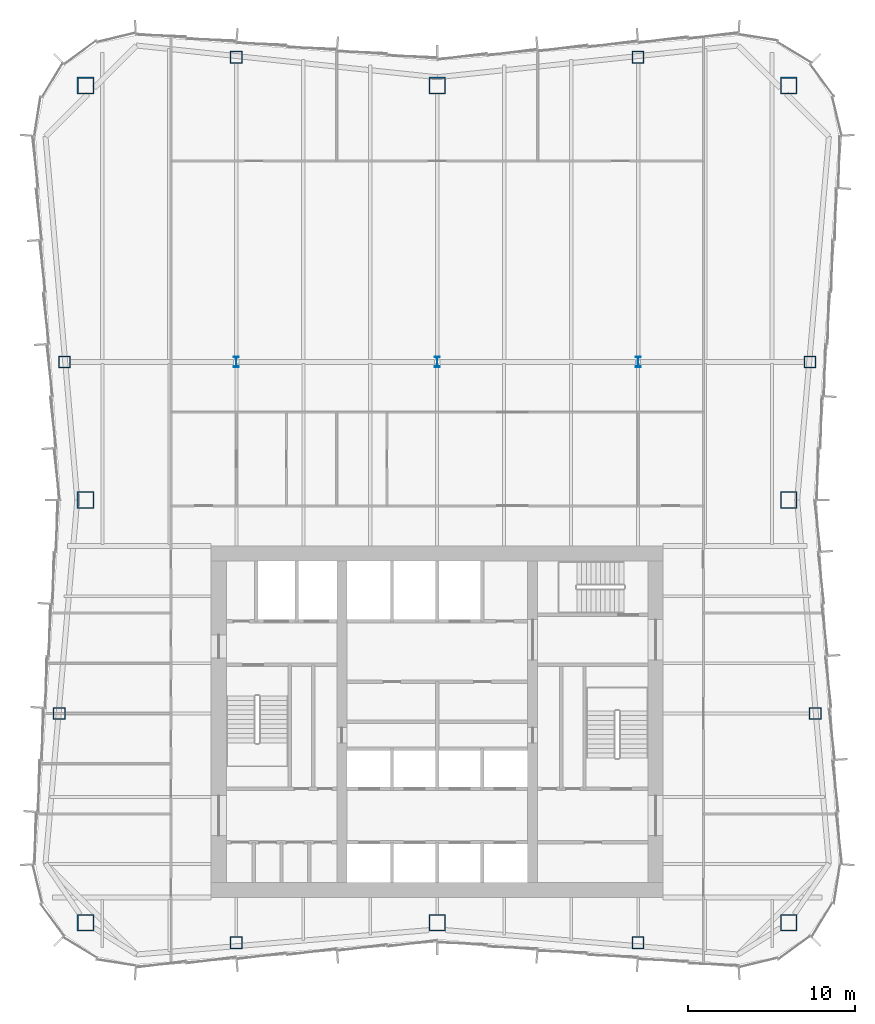
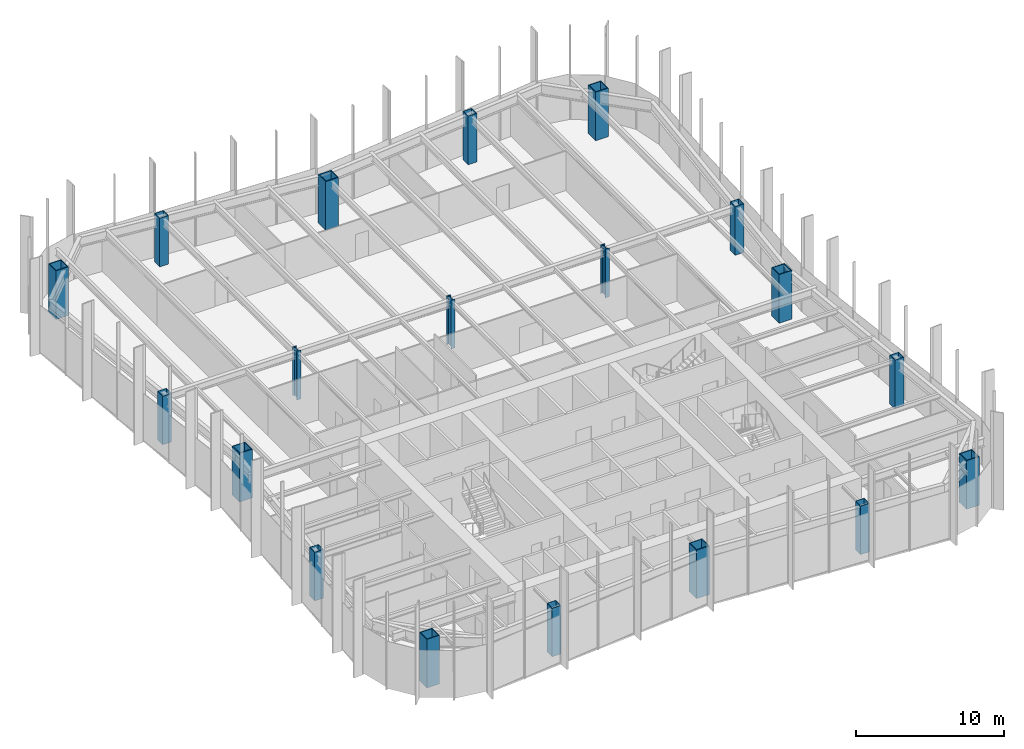
# One storey, part 1 of 13: 19 columns.
"""IFC4 building model written with IfcOpenShell, lengths in metres."""

from ifc_helpers import new_model, si_unit, direction, frame, origin, origin_2d, place, context, subcontext, project, spatial, hollow_rectangle, i_section, extrude, material, material_profile, profile_set, type_object, element, save


model = new_model("IFC4")

# Units and contexts
model_context = context("Model", 3, precision=1e-05, world=origin(), true_north=direction((0.0, 1.0)))
body_context = subcontext(model_context, "Body", "Model", "MODEL_VIEW")
ifc_project = project(units=[si_unit("LENGTHUNIT", "METRE"), si_unit("AREAUNIT", "SQUARE_METRE"), si_unit("VOLUMEUNIT", "CUBIC_METRE"), si_unit("PLANEANGLEUNIT", "RADIAN"), si_unit("MASSUNIT", "GRAM", prefix="KILO")], contexts=[model_context])

# Site, building, storey
site_placement = place(None, origin())
site = spatial("IfcSite", under=ifc_project, at=site_placement, CompositionType="ELEMENT")
building_placement = place(site_placement, origin())
building = spatial("IfcBuilding", under=site, at=building_placement, Name="Verdant Reach Tower", CompositionType="ELEMENT")
storey_placement = place(building_placement, frame((0.0, 0.0, 218.0)))
storey = spatial("IfcBuildingStorey", under=building, at=storey_placement, Name="L50", CompositionType="ELEMENT", Elevation=218.0)

# Columns
ifc_material = material(Name="Steel S460", Category="steel")
ifc_material_profile_1 = material_profile(ifc_material, i_section(OverallWidth=0.304931640625, OverallDepth=0.6201171875, WebThickness=0.02099609375, FlangeThickness=0.0400390625, FilletRadius=0.027099609375, at=origin_2d()), Name="HEM 600")
ifc_profile_set_1 = profile_set([ifc_material_profile_1], Name="Steel S460")
column_type_1 = type_object("IfcColumnType", Name="ST-COL-HEM600", PredefinedType="COLUMN", material=ifc_profile_set_1)
for number, where, z_axis, x_axis, name in (
    (1, (-12.0, 49.5, 0.0), (0.0, 0.0, 1.0), (1.0, 0.0, 0.0), "Interior column 1, L50"),
    (2, (0.0, 49.5, 0.0), (0.0, 0.0, 1.0), (1.0, 0.0, 0.0), "Interior column 2, L50"),
    (3, (12.0, 49.5, 0.0), (0.0, 0.0, 1.0), (1.0, 0.0, 0.0), "Interior column 3, L50"),
):
    element("IfcColumn", number, at=place(storey_placement, frame(where, z_axis=z_axis, x_axis=x_axis)), inside=storey, type_object=column_type_1, Name=name, PredefinedType="COLUMN", context=body_context, shape_type="SweptSolid", body=[
        extrude(i_section(OverallWidth=0.304931640625, OverallDepth=0.6201171875, WebThickness=0.02099609375, FlangeThickness=0.0400390625, FilletRadius=0.027099609375, at=origin_2d()), origin(), (0.0, 0.0, 1.0), 4.0),
    ])
ifc_material_profile_2 = material_profile(ifc_material, hollow_rectangle(XDim=1.0, YDim=1.0, WallThickness=0.06005859375, at=origin_2d()), Name="WB 1000x1000x60")
ifc_profile_set_2 = profile_set([ifc_material_profile_2], Name="Steel S460")
column_type_2 = type_object("IfcColumnType", Name="ST-COL-WB1000x1000x60", PredefinedType="COLUMN", material=ifc_profile_set_2)
for number, where, z_axis, x_axis, name in (
    (4, (-21.0, 66.0, 0.0), (0.0, 0.0, 1.0), (1.0, 0.0, 0.0), "Mega column north-west, L50"),
    (5, (0.0, 66.0, 0.0), (0.0, 0.0, 1.0), (1.0, 0.0, 0.0), "Mega column north, L50"),
    (6, (21.0, 66.0, 0.0), (0.0, 0.0, 1.0), (1.0, 0.0, 0.0), "Mega column north-east, L50"),
    (7, (21.0, 41.25, 0.0), (0.0, 0.0, 1.0), (1.0, 0.0, 0.0), "Mega column east, L50"),
    (8, (21.0, 16.0, 0.0), (0.0, 0.0, 1.0), (1.0, 0.0, 0.0), "Mega column south-east, L50"),
    (9, (0.0, 16.0, 0.0), (0.0, 0.0, 1.0), (1.0, 0.0, 0.0), "Mega column south, L50"),
    (10, (-21.0, 16.0, 0.0), (0.0, 0.0, 1.0), (1.0, 0.0, 0.0), "Mega column south-west, L50"),
    (11, (-21.0, 41.25, 0.0), (0.0, 0.0, 1.0), (1.0, 0.0, 0.0), "Mega column west, L50"),
):
    element("IfcColumn", number, at=place(storey_placement, frame(where, z_axis=z_axis, x_axis=x_axis)), inside=storey, type_object=column_type_2, Name=name, PredefinedType="COLUMN", context=body_context, shape_type="SweptSolid", body=[
        extrude(hollow_rectangle(XDim=1.0, YDim=1.0, WallThickness=0.06005859375, at=origin_2d()), origin(), (0.0, 0.0, 1.0), 4.0),
    ])
ifc_material_profile_3 = material_profile(ifc_material, hollow_rectangle(XDim=0.699951171875, YDim=0.699951171875, WallThickness=0.030029296875, at=origin_2d()), Name="WB 700x700x30")
ifc_profile_set_3 = profile_set([ifc_material_profile_3], Name="Steel S460")
column_type_3 = type_object("IfcColumnType", Name="ST-COL-WB700x700x30", PredefinedType="COLUMN", material=ifc_profile_set_3)
for number, where, z_axis, x_axis, name in (
    (12, (-12.0, 67.699951171875, 0.0), (0.0, 0.0, 1.0), (1.0, 0.0, 0.0), "Perimeter column north 1, L50"),
    (13, (12.0, 67.699951171875, 0.0), (0.0, 0.0, 1.0), (1.0, 0.0, 0.0), "Perimeter column north 2, L50"),
    (14, (-12.0, 14.800048828125, 0.0), (0.0, 0.0, 1.0), (1.0, 0.0, 0.0), "Perimeter column south 1, L50"),
    (15, (12.0, 14.800048828125, 0.0), (0.0, 0.0, 1.0), (1.0, 0.0, 0.0), "Perimeter column south 2, L50"),
    (16, (22.579345703125, 28.5, 0.0), (0.0, 0.0, 1.0), (1.0, 0.0, 0.0), "Perimeter column east 1, L50"),
    (17, (22.26904296875, 49.5, 0.0), (0.0, 0.0, 1.0), (1.0, 0.0, 0.0), "Perimeter column east 2, L50"),
    (18, (-22.579345703125, 28.5, 0.0), (0.0, 0.0, 1.0), (1.0, 0.0, 0.0), "Perimeter column west 1, L50"),
    (19, (-22.26904296875, 49.5, 0.0), (0.0, 0.0, 1.0), (1.0, 0.0, 0.0), "Perimeter column west 2, L50"),
):
    element("IfcColumn", number, at=place(storey_placement, frame(where, z_axis=z_axis, x_axis=x_axis)), inside=storey, type_object=column_type_3, Name=name, PredefinedType="COLUMN", context=body_context, shape_type="SweptSolid", body=[
        extrude(hollow_rectangle(XDim=0.699951171875, YDim=0.699951171875, WallThickness=0.030029296875, at=origin_2d()), origin(), (0.0, 0.0, 1.0), 4.0),
    ])

save(model, "model.ifc")
